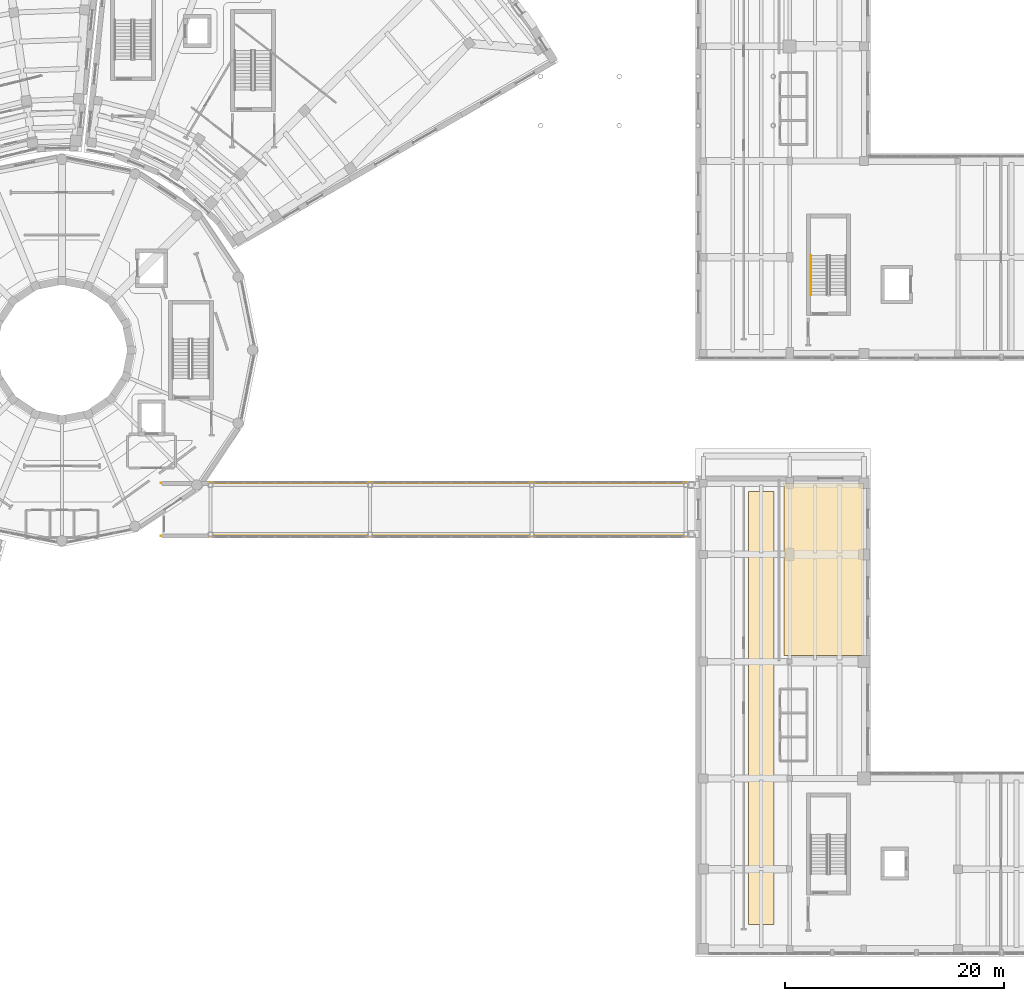
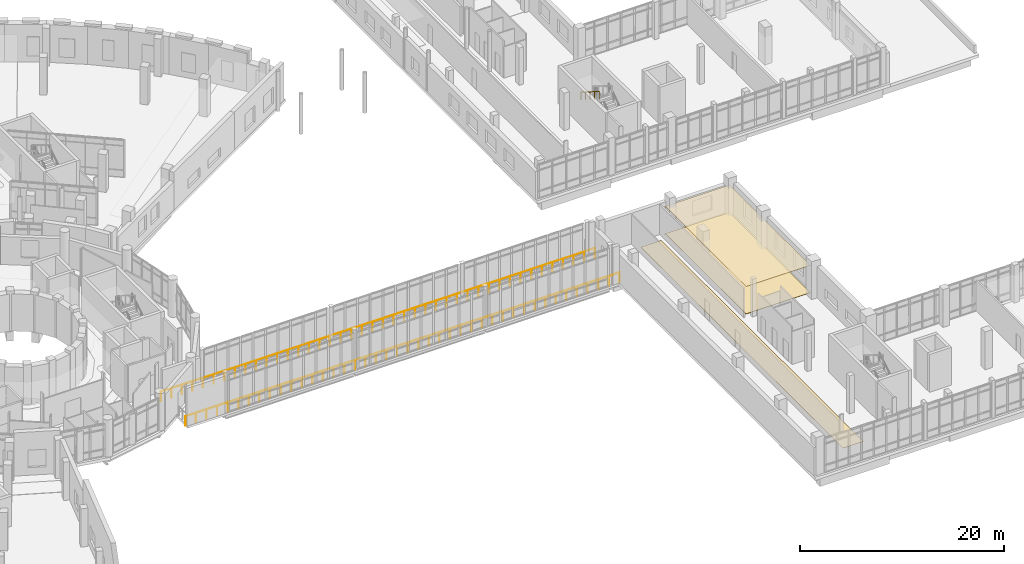
# One storey, part 79 of 89: 3 coverings, 3 railings.
"""IFC4 building model written with IfcOpenShell, lengths in metres."""

from ifc_helpers import new_model, si_unit, direction, frame, origin, origin_2d, place, context, subcontext, project, spatial, polyline, circle, outline, extrude, material, layer, layer_set, type_object, element, save


model = new_model("IFC4")

# Units and contexts
model_context = context("Model", 3, precision=1e-05, world=origin(), true_north=direction((0.0, 1.0)))
body_context = subcontext(model_context, "Body", "Model", "MODEL_VIEW")
ifc_project = project(units=[si_unit("LENGTHUNIT", "METRE"), si_unit("AREAUNIT", "SQUARE_METRE"), si_unit("VOLUMEUNIT", "CUBIC_METRE"), si_unit("PLANEANGLEUNIT", "RADIAN"), si_unit("MASSUNIT", "GRAM", prefix="KILO")], contexts=[model_context])

# Site, building, storey
site_placement = place(None, origin())
site = spatial("IfcSite", under=ifc_project, at=site_placement, CompositionType="ELEMENT")
building_placement = place(site_placement, origin())
building = spatial("IfcBuilding", under=site, at=building_placement, Name="Soyqirgoq Riverine Aquarium", CompositionType="ELEMENT")
storey_placement = place(building_placement, frame((0.0, 0.0, 5.39990234375)))
storey = spatial("IfcBuildingStorey", under=building, at=storey_placement, Name="L02", CompositionType="ELEMENT", Elevation=5.39990234375)

# Covering
ifc_material_1 = material(Name="Perforated mineral-fibre acoustic ceiling", Category="gypsum")
ifc_layer_1 = layer(ifc_material_1, 0.050048828125)
ifc_layer_set_1 = layer_set([ifc_layer_1], Name="Perforated mineral-fibre acoustic ceiling")
covering_type_1 = type_object("IfcCoveringType", Name="AcousticBaffleCeiling_50", PredefinedType="CEILING", material=ifc_layer_set_1)
covering_1_placement = place(storey_placement, frame((0.0, 0.0, 3.25)))
element("IfcCovering", 1, at=covering_1_placement, inside=storey, type_object=covering_type_1, Name="Education Centre Classroom Suspended Ceiling", PredefinedType="CEILING", context=body_context, shape_type="SweptSolid", body=[
    extrude(outline(polyline([(129.35009765625, 44.85009765625), (129.35009765625, 29.030029296875), (122.080078125, 29.030029296875), (122.080078125, 44.530029296875), (122.077880859375, 44.573974609375), (122.071044921875, 44.617919921875), (122.06103515625, 44.660888671875), (122.0458984375, 44.701904296875), (122.027099609375, 44.741943359375), (122.00390625, 44.780029296875), (121.97802734375, 44.81494140625), (121.947998046875, 44.847900390625), (121.946044921875, 44.85009765625), (129.35009765625, 44.85009765625)])), origin(), (0.0, 0.0, 1.0), 0.050048828125),
])

# Railings
ifc_material_2 = material(Name="Brushed stainless steel 316L tubular handrail", Category="steel")
railing_type_1 = type_object("IfcRailingType", Name="StairPitchHandrail_920", PredefinedType="HANDRAIL", material=ifc_material_2)
railing_1_placement = place(storey_placement, frame((124.550048828125, 65.64990234375, 2.584716796875)))
element("IfcRailing", 2, at=railing_1_placement, inside=storey, type_object=railing_type_1, Name="L02 ST-8 stair handrail 2", PredefinedType="HANDRAIL", context=body_context, shape_type="SweptSolid", body=[
    extrude(circle(Radius=0.02392578125, at=origin_2d()), frame((0.0, 0.0, 0.89990234375), z_axis=(0.0, -0.851654350407, 0.524103870844), x_axis=(1.0, 0.0, 0.0)), (0.0, 0.0, 1.0), 4.226806640625),
    extrude(circle(Radius=0.02099609375, at=origin_2d()), origin(), (0.0, 0.0, 1.0), 0.875732421875),
    extrude(circle(Radius=0.02099609375, at=origin_2d()), frame((0.0, -0.89990234375, 0.5537109375)), (0.0, 0.0, 1.0), 0.875732421875),
    extrude(circle(Radius=0.02099609375, at=origin_2d()), frame((0.0, -1.7998046875, 1.107666015625)), (0.0, 0.0, 1.0), 0.875732421875),
    extrude(circle(Radius=0.02099609375, at=origin_2d()), frame((0.0, -2.699951171875, 1.66162109375)), (0.0, 0.0, 1.0), 0.875732421875),
    extrude(circle(Radius=0.02099609375, at=origin_2d()), frame((0.0, -3.599853515625, 2.21533203125)), (0.0, 0.0, 1.0), 0.875732421875),
])
ifc_material_3 = material(Name="Laminated safety glass and stainless steel balustrade", Category="steel")
railing_type_2 = type_object("IfcRailingType", Name="TerraceGuard_1150", PredefinedType="BALUSTRADE", material=ifc_material_3)
railing_2_placement = place(storey_placement, frame((65.050048828125, 39.97998046875, 0.0)))
element("IfcRailing", 3, at=railing_2_placement, inside=storey, type_object=railing_type_2, Name="BR-1 Concourse Glazing Guardrail S", PredefinedType="BALUSTRADE", context=body_context, shape_type="SweptSolid", body=[
    extrude(circle(Radius=0.02392578125, at=origin_2d()), frame((0.0, 0.0, 1.1259765625), z_axis=(1.0, 0.0, 0.0), x_axis=(0.0, 1.0, 0.0)), (0.0, 0.0, 1.0), 49.050048828125),
    extrude(circle(Radius=0.02099609375, at=origin_2d()), origin(), (0.0, 0.0, 1.0), 1.101806640625),
    extrude(circle(Radius=0.02099609375, at=origin_2d()), frame((1.1962890625, 0.0, 0.0)), (0.0, 0.0, 1.0), 1.101806640625),
    extrude(circle(Radius=0.02099609375, at=origin_2d()), frame((2.392578125, 0.0, 0.0)), (0.0, 0.0, 1.0), 1.101806640625),
    extrude(circle(Radius=0.02099609375, at=origin_2d()), frame((3.589111328125, 0.0, 0.0)), (0.0, 0.0, 1.0), 1.101806640625),
    extrude(circle(Radius=0.02099609375, at=origin_2d()), frame((4.785400390625, 0.0, 0.0)), (0.0, 0.0, 1.0), 1.101806640625),
    extrude(circle(Radius=0.02099609375, at=origin_2d()), frame((5.981689453125, 0.0, 0.0)), (0.0, 0.0, 1.0), 1.101806640625),
    extrude(circle(Radius=0.02099609375, at=origin_2d()), frame((7.177978515625, 0.0, 0.0)), (0.0, 0.0, 1.0), 1.101806640625),
    extrude(circle(Radius=0.02099609375, at=origin_2d()), frame((8.37451171875, 0.0, 0.0)), (0.0, 0.0, 1.0), 1.101806640625),
    extrude(circle(Radius=0.02099609375, at=origin_2d()), frame((9.57080078125, 0.0, 0.0)), (0.0, 0.0, 1.0), 1.101806640625),
    extrude(circle(Radius=0.02099609375, at=origin_2d()), frame((10.76708984375, 0.0, 0.0)), (0.0, 0.0, 1.0), 1.101806640625),
    extrude(circle(Radius=0.02099609375, at=origin_2d()), frame((11.96337890625, 0.0, 0.0)), (0.0, 0.0, 1.0), 1.101806640625),
    extrude(circle(Radius=0.02099609375, at=origin_2d()), frame((13.15966796875, 0.0, 0.0)), (0.0, 0.0, 1.0), 1.101806640625),
    extrude(circle(Radius=0.02099609375, at=origin_2d()), frame((14.356201171875, 0.0, 0.0)), (0.0, 0.0, 1.0), 1.101806640625),
    extrude(circle(Radius=0.02099609375, at=origin_2d()), frame((15.552490234375, 0.0, 0.0)), (0.0, 0.0, 1.0), 1.101806640625),
    extrude(circle(Radius=0.02099609375, at=origin_2d()), frame((16.748779296875, 0.0, 0.0)), (0.0, 0.0, 1.0), 1.101806640625),
    extrude(circle(Radius=0.02099609375, at=origin_2d()), frame((17.945068359375, 0.0, 0.0)), (0.0, 0.0, 1.0), 1.101806640625),
    extrude(circle(Radius=0.02099609375, at=origin_2d()), frame((19.1416015625, 0.0, 0.0)), (0.0, 0.0, 1.0), 1.101806640625),
    extrude(circle(Radius=0.02099609375, at=origin_2d()), frame((20.337890625, 0.0, 0.0)), (0.0, 0.0, 1.0), 1.101806640625),
    extrude(circle(Radius=0.02099609375, at=origin_2d()), frame((21.5341796875, 0.0, 0.0)), (0.0, 0.0, 1.0), 1.101806640625),
    extrude(circle(Radius=0.02099609375, at=origin_2d()), frame((22.73046875, 0.0, 0.0)), (0.0, 0.0, 1.0), 1.101806640625),
    extrude(circle(Radius=0.02099609375, at=origin_2d()), frame((23.9267578125, 0.0, 0.0)), (0.0, 0.0, 1.0), 1.101806640625),
    extrude(circle(Radius=0.02099609375, at=origin_2d()), frame((25.123291015625, 0.0, 0.0)), (0.0, 0.0, 1.0), 1.101806640625),
    extrude(circle(Radius=0.02099609375, at=origin_2d()), frame((26.319580078125, 0.0, 0.0)), (0.0, 0.0, 1.0), 1.101806640625),
    extrude(circle(Radius=0.02099609375, at=origin_2d()), frame((27.515869140625, 0.0, 0.0)), (0.0, 0.0, 1.0), 1.101806640625),
    extrude(circle(Radius=0.02099609375, at=origin_2d()), frame((28.712158203125, 0.0, 0.0)), (0.0, 0.0, 1.0), 1.101806640625),
    extrude(circle(Radius=0.02099609375, at=origin_2d()), frame((29.908447265625, 0.0, 0.0)), (0.0, 0.0, 1.0), 1.101806640625),
    extrude(circle(Radius=0.02099609375, at=origin_2d()), frame((31.10498046875, 0.0, 0.0)), (0.0, 0.0, 1.0), 1.101806640625),
    extrude(circle(Radius=0.02099609375, at=origin_2d()), frame((32.30126953125, 0.0, 0.0)), (0.0, 0.0, 1.0), 1.101806640625),
    extrude(circle(Radius=0.02099609375, at=origin_2d()), frame((33.49755859375, 0.0, 0.0)), (0.0, 0.0, 1.0), 1.101806640625),
    extrude(circle(Radius=0.02099609375, at=origin_2d()), frame((34.69384765625, 0.0, 0.0)), (0.0, 0.0, 1.0), 1.101806640625),
    extrude(circle(Radius=0.02099609375, at=origin_2d()), frame((35.890380859375, 0.0, 0.0)), (0.0, 0.0, 1.0), 1.101806640625),
    extrude(circle(Radius=0.02099609375, at=origin_2d()), frame((37.086669921875, 0.0, 0.0)), (0.0, 0.0, 1.0), 1.101806640625),
    extrude(circle(Radius=0.02099609375, at=origin_2d()), frame((38.282958984375, 0.0, 0.0)), (0.0, 0.0, 1.0), 1.101806640625),
    extrude(circle(Radius=0.02099609375, at=origin_2d()), frame((39.479248046875, 0.0, 0.0)), (0.0, 0.0, 1.0), 1.101806640625),
    extrude(circle(Radius=0.02099609375, at=origin_2d()), frame((40.675537109375, 0.0, 0.0)), (0.0, 0.0, 1.0), 1.101806640625),
    extrude(circle(Radius=0.02099609375, at=origin_2d()), frame((41.8720703125, 0.0, 0.0)), (0.0, 0.0, 1.0), 1.101806640625),
    extrude(circle(Radius=0.02099609375, at=origin_2d()), frame((43.068359375, 0.0, 0.0)), (0.0, 0.0, 1.0), 1.101806640625),
    extrude(circle(Radius=0.02099609375, at=origin_2d()), frame((44.2646484375, 0.0, 0.0)), (0.0, 0.0, 1.0), 1.101806640625),
    extrude(circle(Radius=0.02099609375, at=origin_2d()), frame((45.4609375, 0.0, 0.0)), (0.0, 0.0, 1.0), 1.101806640625),
    extrude(circle(Radius=0.02099609375, at=origin_2d()), frame((46.657470703125, 0.0, 0.0)), (0.0, 0.0, 1.0), 1.101806640625),
    extrude(circle(Radius=0.02099609375, at=origin_2d()), frame((47.853759765625, 0.0, 0.0)), (0.0, 0.0, 1.0), 1.101806640625),
    extrude(circle(Radius=0.02099609375, at=origin_2d()), frame((49.050048828125, 0.0, 0.0)), (0.0, 0.0, 1.0), 1.101806640625),
])
railing_3_placement = place(storey_placement, frame((65.050048828125, 44.820068359375, 0.0)))
element("IfcRailing", 4, at=railing_3_placement, inside=storey, type_object=railing_type_2, Name="BR-1 Concourse Glazing Guardrail N", PredefinedType="BALUSTRADE", context=body_context, shape_type="SweptSolid", body=[
    extrude(circle(Radius=0.02392578125, at=origin_2d()), frame((0.0, 0.0, 1.1259765625), z_axis=(1.0, 0.0, 0.0), x_axis=(0.0, 1.0, 0.0)), (0.0, 0.0, 1.0), 49.050048828125),
    extrude(circle(Radius=0.02099609375, at=origin_2d()), origin(), (0.0, 0.0, 1.0), 1.101806640625),
    extrude(circle(Radius=0.02099609375, at=origin_2d()), frame((1.1962890625, 0.0, 0.0)), (0.0, 0.0, 1.0), 1.101806640625),
    extrude(circle(Radius=0.02099609375, at=origin_2d()), frame((2.392578125, 0.0, 0.0)), (0.0, 0.0, 1.0), 1.101806640625),
    extrude(circle(Radius=0.02099609375, at=origin_2d()), frame((3.589111328125, 0.0, 0.0)), (0.0, 0.0, 1.0), 1.101806640625),
    extrude(circle(Radius=0.02099609375, at=origin_2d()), frame((4.785400390625, 0.0, 0.0)), (0.0, 0.0, 1.0), 1.101806640625),
    extrude(circle(Radius=0.02099609375, at=origin_2d()), frame((5.981689453125, 0.0, 0.0)), (0.0, 0.0, 1.0), 1.101806640625),
    extrude(circle(Radius=0.02099609375, at=origin_2d()), frame((7.177978515625, 0.0, 0.0)), (0.0, 0.0, 1.0), 1.101806640625),
    extrude(circle(Radius=0.02099609375, at=origin_2d()), frame((8.37451171875, 0.0, 0.0)), (0.0, 0.0, 1.0), 1.101806640625),
    extrude(circle(Radius=0.02099609375, at=origin_2d()), frame((9.57080078125, 0.0, 0.0)), (0.0, 0.0, 1.0), 1.101806640625),
    extrude(circle(Radius=0.02099609375, at=origin_2d()), frame((10.76708984375, 0.0, 0.0)), (0.0, 0.0, 1.0), 1.101806640625),
    extrude(circle(Radius=0.02099609375, at=origin_2d()), frame((11.96337890625, 0.0, 0.0)), (0.0, 0.0, 1.0), 1.101806640625),
    extrude(circle(Radius=0.02099609375, at=origin_2d()), frame((13.15966796875, 0.0, 0.0)), (0.0, 0.0, 1.0), 1.101806640625),
    extrude(circle(Radius=0.02099609375, at=origin_2d()), frame((14.356201171875, 0.0, 0.0)), (0.0, 0.0, 1.0), 1.101806640625),
    extrude(circle(Radius=0.02099609375, at=origin_2d()), frame((15.552490234375, 0.0, 0.0)), (0.0, 0.0, 1.0), 1.101806640625),
    extrude(circle(Radius=0.02099609375, at=origin_2d()), frame((16.748779296875, 0.0, 0.0)), (0.0, 0.0, 1.0), 1.101806640625),
    extrude(circle(Radius=0.02099609375, at=origin_2d()), frame((17.945068359375, 0.0, 0.0)), (0.0, 0.0, 1.0), 1.101806640625),
    extrude(circle(Radius=0.02099609375, at=origin_2d()), frame((19.1416015625, 0.0, 0.0)), (0.0, 0.0, 1.0), 1.101806640625),
    extrude(circle(Radius=0.02099609375, at=origin_2d()), frame((20.337890625, 0.0, 0.0)), (0.0, 0.0, 1.0), 1.101806640625),
    extrude(circle(Radius=0.02099609375, at=origin_2d()), frame((21.5341796875, 0.0, 0.0)), (0.0, 0.0, 1.0), 1.101806640625),
    extrude(circle(Radius=0.02099609375, at=origin_2d()), frame((22.73046875, 0.0, 0.0)), (0.0, 0.0, 1.0), 1.101806640625),
    extrude(circle(Radius=0.02099609375, at=origin_2d()), frame((23.9267578125, 0.0, 0.0)), (0.0, 0.0, 1.0), 1.101806640625),
    extrude(circle(Radius=0.02099609375, at=origin_2d()), frame((25.123291015625, 0.0, 0.0)), (0.0, 0.0, 1.0), 1.101806640625),
    extrude(circle(Radius=0.02099609375, at=origin_2d()), frame((26.319580078125, 0.0, 0.0)), (0.0, 0.0, 1.0), 1.101806640625),
    extrude(circle(Radius=0.02099609375, at=origin_2d()), frame((27.515869140625, 0.0, 0.0)), (0.0, 0.0, 1.0), 1.101806640625),
    extrude(circle(Radius=0.02099609375, at=origin_2d()), frame((28.712158203125, 0.0, 0.0)), (0.0, 0.0, 1.0), 1.101806640625),
    extrude(circle(Radius=0.02099609375, at=origin_2d()), frame((29.908447265625, 0.0, 0.0)), (0.0, 0.0, 1.0), 1.101806640625),
    extrude(circle(Radius=0.02099609375, at=origin_2d()), frame((31.10498046875, 0.0, 0.0)), (0.0, 0.0, 1.0), 1.101806640625),
    extrude(circle(Radius=0.02099609375, at=origin_2d()), frame((32.30126953125, 0.0, 0.0)), (0.0, 0.0, 1.0), 1.101806640625),
    extrude(circle(Radius=0.02099609375, at=origin_2d()), frame((33.49755859375, 0.0, 0.0)), (0.0, 0.0, 1.0), 1.101806640625),
    extrude(circle(Radius=0.02099609375, at=origin_2d()), frame((34.69384765625, 0.0, 0.0)), (0.0, 0.0, 1.0), 1.101806640625),
    extrude(circle(Radius=0.02099609375, at=origin_2d()), frame((35.890380859375, 0.0, 0.0)), (0.0, 0.0, 1.0), 1.101806640625),
    extrude(circle(Radius=0.02099609375, at=origin_2d()), frame((37.086669921875, 0.0, 0.0)), (0.0, 0.0, 1.0), 1.101806640625),
    extrude(circle(Radius=0.02099609375, at=origin_2d()), frame((38.282958984375, 0.0, 0.0)), (0.0, 0.0, 1.0), 1.101806640625),
    extrude(circle(Radius=0.02099609375, at=origin_2d()), frame((39.479248046875, 0.0, 0.0)), (0.0, 0.0, 1.0), 1.101806640625),
    extrude(circle(Radius=0.02099609375, at=origin_2d()), frame((40.675537109375, 0.0, 0.0)), (0.0, 0.0, 1.0), 1.101806640625),
    extrude(circle(Radius=0.02099609375, at=origin_2d()), frame((41.8720703125, 0.0, 0.0)), (0.0, 0.0, 1.0), 1.101806640625),
    extrude(circle(Radius=0.02099609375, at=origin_2d()), frame((43.068359375, 0.0, 0.0)), (0.0, 0.0, 1.0), 1.101806640625),
    extrude(circle(Radius=0.02099609375, at=origin_2d()), frame((44.2646484375, 0.0, 0.0)), (0.0, 0.0, 1.0), 1.101806640625),
    extrude(circle(Radius=0.02099609375, at=origin_2d()), frame((45.4609375, 0.0, 0.0)), (0.0, 0.0, 1.0), 1.101806640625),
    extrude(circle(Radius=0.02099609375, at=origin_2d()), frame((46.657470703125, 0.0, 0.0)), (0.0, 0.0, 1.0), 1.101806640625),
    extrude(circle(Radius=0.02099609375, at=origin_2d()), frame((47.853759765625, 0.0, 0.0)), (0.0, 0.0, 1.0), 1.101806640625),
    extrude(circle(Radius=0.02099609375, at=origin_2d()), frame((49.050048828125, 0.0, 0.0)), (0.0, 0.0, 1.0), 1.101806640625),
])

# Coverings
ifc_material_4 = material(Name="Polished Chirchiq river-pebble terrazzo flooring", Category="concrete")
ifc_layer_2 = layer(ifc_material_4, 0.030029296875)
ifc_layer_set_2 = layer_set([ifc_layer_2], Name="Polished Chirchiq river-pebble terrazzo flooring")
covering_type_2 = type_object("IfcCoveringType", Name="TerrazzoFloorFinish_30", PredefinedType="FLOORING", material=ifc_layer_set_2)
covering_2_placement = place(storey_placement, origin())
element("IfcCovering", 5, at=covering_2_placement, inside=storey, type_object=covering_type_2, Name="Education Gallery Corridor Floor Finish", PredefinedType="FLOORING", context=body_context, shape_type="SweptSolid", body=[
    extrude(outline(polyline([(118.85009765625, 4.449951171875), (118.85009765625, 44.050048828125), (121.14990234375, 44.050048828125), (121.14990234375, 4.449951171875), (118.85009765625, 4.449951171875)])), origin(), (0.0, 0.0, 1.0), 0.030029296875),
])
covering_3_placement = place(storey_placement, origin())
element("IfcCovering", 6, at=covering_3_placement, inside=storey, type_object=covering_type_2, Name="Education Centre Classroom Floor Finish", PredefinedType="FLOORING", context=body_context, shape_type="SweptSolid", body=[
    extrude(outline(polyline([(129.35009765625, 44.85009765625), (129.35009765625, 29.030029296875), (122.080078125, 29.030029296875), (122.080078125, 44.530029296875), (122.077880859375, 44.573974609375), (122.071044921875, 44.617919921875), (122.06103515625, 44.660888671875), (122.0458984375, 44.701904296875), (122.027099609375, 44.741943359375), (122.00390625, 44.780029296875), (121.97802734375, 44.81494140625), (121.947998046875, 44.847900390625), (121.946044921875, 44.85009765625), (129.35009765625, 44.85009765625)])), origin(), (0.0, 0.0, 1.0), 0.030029296875),
])

save(model, "model.ifc")
